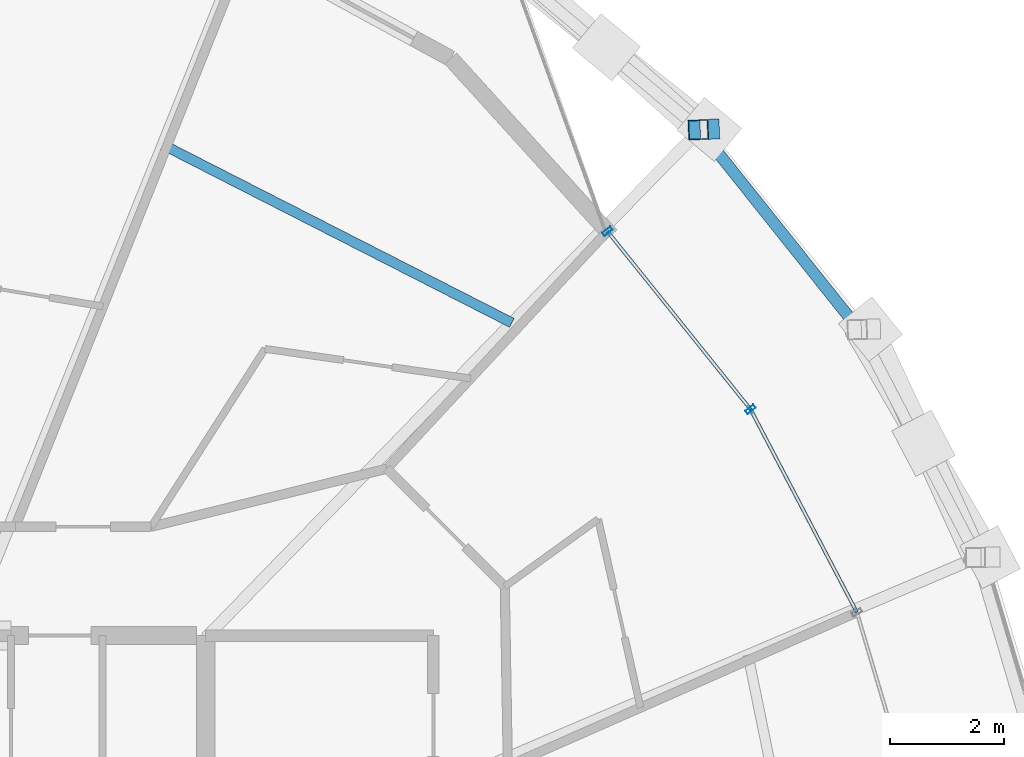
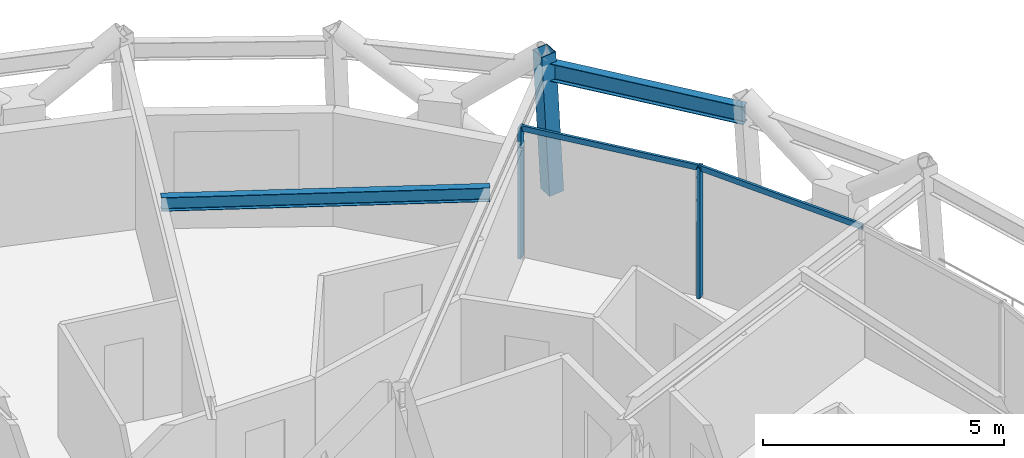
# One storey, part 8 of 15: 5 members, 2 beams, 1 element without a shape of its own.
"""IFC4 building model written with IfcOpenShell, lengths in metres."""

from ifc_helpers import new_model, si_unit, direction, frame, origin, origin_2d, place, context, subcontext, project, spatial, hollow_rectangle, i_section, extrude, material, layer, layer_set, material_profile, profile_set, type_object, element, aggregate, save


model = new_model("IFC4")

# Units and contexts
model_context = context("Model", 3, precision=1e-05, world=origin(), true_north=direction((0.0, 1.0)))
body_context = subcontext(model_context, "Body", "Model", "MODEL_VIEW")
ifc_project = project(units=[si_unit("LENGTHUNIT", "METRE"), si_unit("AREAUNIT", "SQUARE_METRE"), si_unit("VOLUMEUNIT", "CUBIC_METRE"), si_unit("PLANEANGLEUNIT", "RADIAN"), si_unit("MASSUNIT", "GRAM", prefix="KILO")], contexts=[model_context])

# Site, building, storey
site_placement = place(None, origin())
site = spatial("IfcSite", under=ifc_project, at=site_placement, CompositionType="ELEMENT")
building_placement = place(site_placement, origin())
building = spatial("IfcBuilding", under=site, at=building_placement, Name="Veldorina Hangang Commons", CompositionType="ELEMENT")
storey_placement = place(building_placement, frame((0.0, 0.0, 254.39990234375)))
storey = spatial("IfcBuildingStorey", under=building, at=storey_placement, Name="L66", CompositionType="ELEMENT", Elevation=254.39990234375)

# Beams
ifc_material_1 = material(Name="Steel SM355-TMC", Category="steel")
ifc_material_profile_1 = material_profile(ifc_material_1, i_section(OverallWidth=0.175048828125, OverallDepth=0.35009765625, WebThickness=0.007080078125, FlangeThickness=0.010986328125, FilletRadius=0.012939453125, at=origin_2d()), Name="H-350x175x7x11")
ifc_profile_set_1 = profile_set([ifc_material_profile_1], Name="Steel SM355-TMC")
beam_type_1 = type_object("IfcBeamType", Name="BM-JST350", PredefinedType="JOIST", material=ifc_profile_set_1)
beam_1_placement = place(storey_placement, frame((44.55126953125, 36.91357421875, 3.18505859375), z_axis=(-0.890775419184, 0.454443783738, 0.0), x_axis=(-0.454443783738, -0.890775419184, 0.0)))
element("IfcBeam", 1, at=beam_1_placement, inside=storey, type_object=beam_type_1, Name="L66 secondary floor joist 03", PredefinedType="JOIST", context=body_context, shape_type="SweptSolid", body=[
    extrude(i_section(OverallWidth=0.175048828125, OverallDepth=0.35009765625, WebThickness=0.007080078125, FlangeThickness=0.010986328125, FilletRadius=0.012939453125, at=origin_2d()), origin(), (0.0, 0.0, 1.0), 6.847412109375),
])
ifc_material_profile_2 = material_profile(ifc_material_1, i_section(OverallWidth=0.199951171875, OverallDepth=0.449951171875, WebThickness=0.009033203125, FlangeThickness=0.013916015625, FilletRadius=0.01611328125, at=origin_2d()), Name="H-450x200x9x14")
ifc_profile_set_2 = profile_set([ifc_material_profile_2], Name="Steel SM355-TMC")
beam_type_2 = type_object("IfcBeamType", Name="BM-RB450", PredefinedType="BEAM", material=ifc_profile_set_2)
beam_2_placement = place(storey_placement, frame((50.615478515625, 36.797607421875, 3.135009765625), z_axis=(-0.623607541824, 0.781737573473, 0.0), x_axis=(-0.781737573473, -0.623607541824, 0.0)))
element("IfcBeam", 2, at=beam_2_placement, inside=storey, type_object=beam_type_2, Name="L66 perimeter hoop ring beam 03", PredefinedType="BEAM", context=body_context, shape_type="SweptSolid", body=[
    extrude(i_section(OverallWidth=0.199951171875, OverallDepth=0.449951171875, WebThickness=0.009033203125, FlangeThickness=0.013916015625, FilletRadius=0.01611328125, at=origin_2d()), origin(), (0.0, 0.0, 1.0), 4.465087890625),
])

# Curtain wall, members
ifc_material_2 = material(Name="Glass Low-E Selective", Category="glass")
ifc_layer = layer(ifc_material_2, 0.179931640625)
ifc_layer_set = layer_set([ifc_layer], Name="Glass Low-E Selective")
curtain_wall_type = type_object("IfcCurtainWallType", Name="CW-SYS-Z3", PredefinedType="NOTDEFINED", material=ifc_layer_set)
curtain_wall_placement = place(storey_placement, origin())
curtain_wall = element("IfcCurtainWall", 3, at=curtain_wall_placement, inside=storey, type_object=curtain_wall_type, Name="L66 unitised curtain wall CW-L66-R2", PredefinedType="NOTDEFINED")
ifc_material_3 = material(Name="Aluminium Anodized AA6063-T6", Category="aluminium")
ifc_material_profile_3 = material_profile(ifc_material_3, hollow_rectangle(XDim=0.070068359375, YDim=0.179931640625, WallThickness=0.00390625, at=origin_2d()), Name="ALU-RHS-180x70x4")
ifc_profile_set_3 = profile_set([ifc_material_profile_3], Name="Aluminium Anodized AA6063-T6")
member_type_1 = type_object("IfcMemberType", Name="CW-MUL-180", PredefinedType="MULLION", material=ifc_profile_set_3)
member_1_placement = place(storey_placement, frame((48.720458984375, 35.4033203125, 0.0), z_axis=(0.0, 0.0, 1.0), x_axis=(-0.62663101501, 0.779316091857, 0.0)))
member_1 = element("IfcMember", 4, at=member_1_placement, type_object=member_type_1, Name="CW-L66-R2 vertical mullion 5", PredefinedType="MULLION", context=body_context, shape_type="SweptSolid", body=[
    extrude(hollow_rectangle(XDim=0.070068359375, YDim=0.179931640625, WallThickness=0.00390625, at=origin_2d()), origin(), (0.0, 0.0, 1.0), 3.320068359375),
])
member_2_placement = place(storey_placement, frame((46.219482421875, 38.513671875, 0.0), z_axis=(0.0, 0.0, 1.0), x_axis=(0.62663101501, -0.779316091857, 0.0)))
member_2 = element("IfcMember", 5, at=member_2_placement, type_object=member_type_1, Name="CW-L66-R2 vertical mullion 6", PredefinedType="MULLION", context=body_context, shape_type="SweptSolid", body=[
    extrude(hollow_rectangle(XDim=0.070068359375, YDim=0.179931640625, WallThickness=0.00390625, at=origin_2d()), origin(), (0.0, 0.0, 1.0), 3.320068359375),
])
ifc_material_profile_4 = material_profile(ifc_material_3, hollow_rectangle(XDim=0.06005859375, YDim=0.139892578125, WallThickness=0.00341796875, at=origin_2d()), Name="ALU-RHS-140x60x3.5")
ifc_profile_set_4 = profile_set([ifc_material_profile_4], Name="Aluminium Anodized AA6063-T6")
member_type_2 = type_object("IfcMemberType", Name="CW-TRN-140", PredefinedType="USERDEFINED", material=ifc_profile_set_4)
member_3_placement = place(storey_placement, frame((50.578857421875, 31.854736328125, 3.280029296875), z_axis=(-0.463931838963, 0.885870898493, 0.0), x_axis=(-0.885870898493, -0.463931838963, 0.0)))
member_3 = element("IfcMember", 6, at=member_3_placement, type_object=member_type_2, Name="CW-L66-R2 facet 4 transom 1", ObjectType="TRANSOM", PredefinedType="USERDEFINED", context=body_context, shape_type="SweptSolid", body=[
    extrude(hollow_rectangle(XDim=0.06005859375, YDim=0.139892578125, WallThickness=0.00341796875, at=origin_2d()), origin(), (0.0, 0.0, 1.0), 4.005859375),
])
member_4_placement = place(storey_placement, frame((48.720458984375, 35.4033203125, 3.280029296875), z_axis=(-0.626632679393, 0.77931475356, 0.0), x_axis=(-0.77931475356, -0.626632679393, 0.0)))
member_4 = element("IfcMember", 7, at=member_4_placement, type_object=member_type_2, Name="CW-L66-R2 facet 5 transom 1", ObjectType="TRANSOM", PredefinedType="USERDEFINED", context=body_context, shape_type="SweptSolid", body=[
    extrude(hollow_rectangle(XDim=0.06005859375, YDim=0.139892578125, WallThickness=0.00341796875, at=origin_2d()), origin(), (0.0, 0.0, 1.0), 3.9912109375),
])
aggregate(curtain_wall, [member_1, member_2, member_3, member_4])

# Member
ifc_material_profile_5 = material_profile(ifc_material_1, hollow_rectangle(XDim=0.35009765625, YDim=0.35009765625, WallThickness=0.01611328125, at=origin_2d()), Name="SHS-350x350x16")
ifc_profile_set_5 = profile_set([ifc_material_profile_5], Name="Steel SM355-TMC")
member_type_3 = type_object("IfcMemberType", Name="STR-SHS350", PredefinedType="STRUT", material=ifc_profile_set_5)
member_5_placement = place(storey_placement, frame((48.00146484375, 40.295654296875, 0.0), z_axis=(-0.054239700947, -0.002370024386, 0.998525131294), x_axis=(0.043653726915, -0.999046721693, 0.0)))
element("IfcMember", 8, at=member_5_placement, inside=storey, type_object=member_type_3, Name="L66 perimeter ring node post 04", PredefinedType="STRUT", context=body_context, shape_type="SweptSolid", body=[
    extrude(hollow_rectangle(XDim=0.35009765625, YDim=0.35009765625, WallThickness=0.01611328125, at=origin_2d()), origin(), (0.0, 0.0, 1.0), 3.60546875),
])

save(model, "model.ifc")
